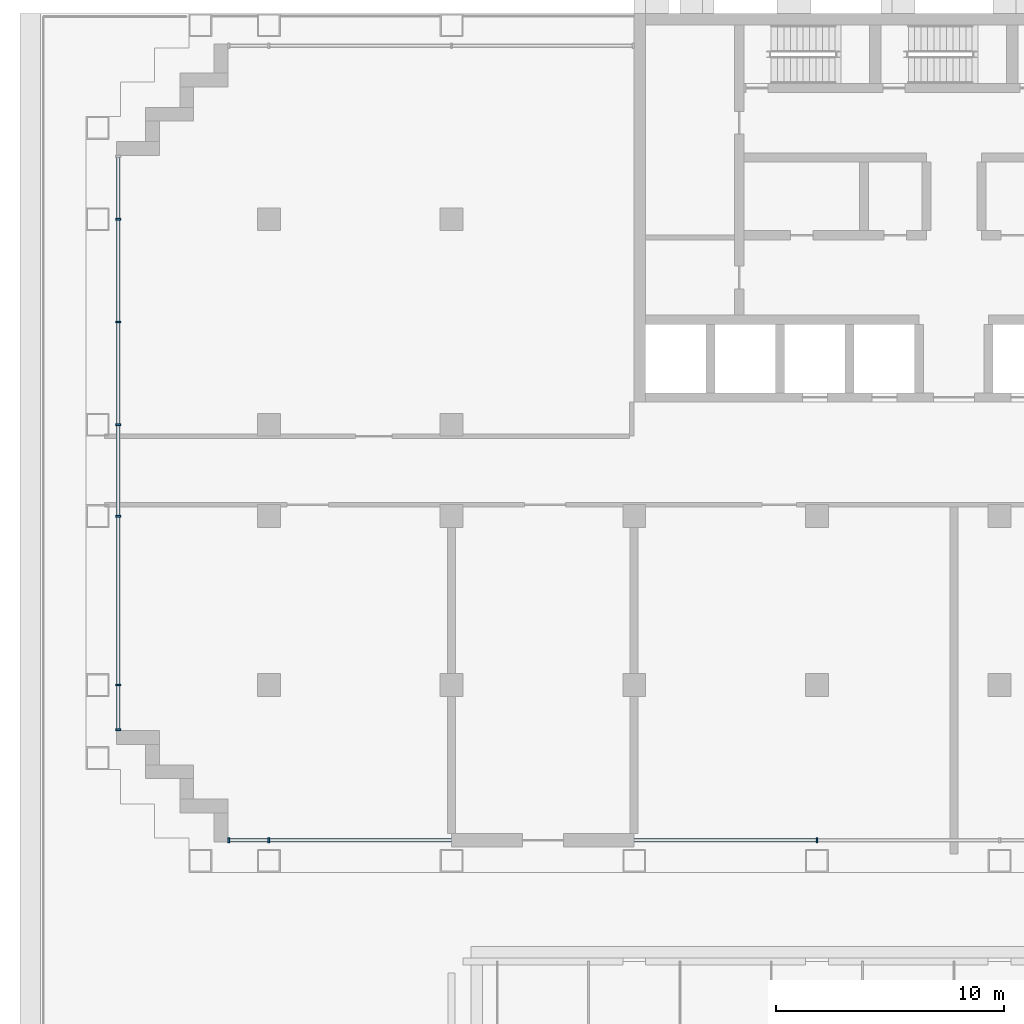
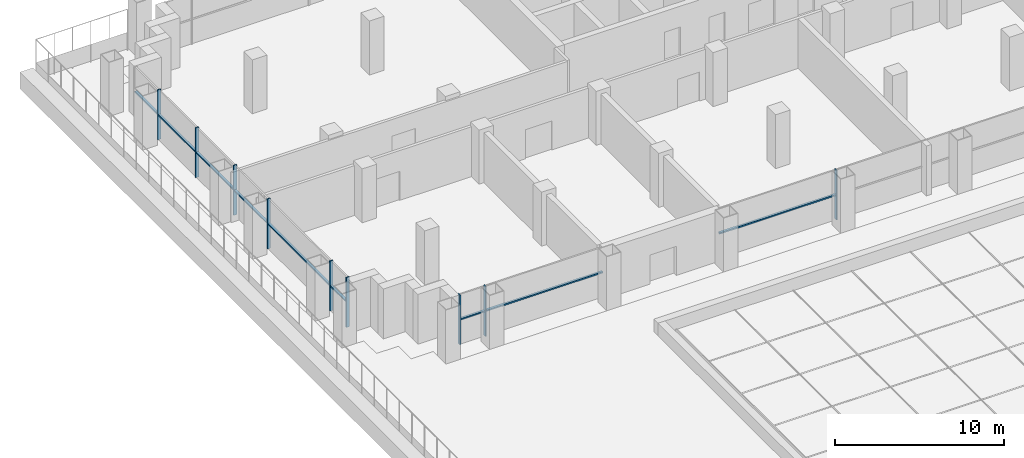
# One storey, part 3 of 16: 18 members, 3 elements without a shape of their own.
"""IFC4 building model written with IfcOpenShell, lengths in metres."""

from ifc_helpers import new_model, si_unit, direction, frame, origin, origin_2d, place, context, subcontext, project, spatial, rectangle, extrude, material, material_profile, profile_set, type_object, element, aggregate, save


model = new_model("IFC4")

# Units and contexts
model_context = context("Model", 3, precision=1e-05, world=origin(), true_north=direction((0.0, 1.0)))
body_context = subcontext(model_context, "Body", "Model", "MODEL_VIEW")
ifc_project = project(units=[si_unit("LENGTHUNIT", "METRE"), si_unit("AREAUNIT", "SQUARE_METRE"), si_unit("VOLUMEUNIT", "CUBIC_METRE"), si_unit("PLANEANGLEUNIT", "RADIAN"), si_unit("MASSUNIT", "GRAM", prefix="KILO")], contexts=[model_context])

# Site, building, storey
site_placement = place(None, origin())
site = spatial("IfcSite", under=ifc_project, at=site_placement, CompositionType="ELEMENT")
building_placement = place(site_placement, origin())
building = spatial("IfcBuilding", under=site, at=building_placement, Name="Vidyagriha Tower", CompositionType="ELEMENT")
storey_placement = place(building_placement, frame((0.0, 0.0, 26.0)))
storey = spatial("IfcBuildingStorey", under=building, at=storey_placement, Name="L06", CompositionType="ELEMENT", Elevation=26.0)

# Curtain wall, members
ifc_material_1 = material(Name="Aluminium and glass curtain wall", Category="aluminium")
curtain_wall_type = type_object("IfcCurtainWallType", Name="Plant louvre wall", PredefinedType="USERDEFINED", material=ifc_material_1)
curtain_wall_1_placement = place(storey_placement, origin())
curtain_wall_1 = element("IfcCurtainWall", 1, at=curtain_wall_1_placement, inside=storey, type_object=curtain_wall_type, Name="CW7 plant louvre wall", ObjectType="STICK GLAZING", PredefinedType="USERDEFINED")
ifc_material_2 = material(Name="Aluminium black anodised", Category="aluminium")
ifc_material_profile_1 = material_profile(ifc_material_2, rectangle(XDim=0.219970703125, YDim=0.080078125, at=origin_2d()), Name="Mullion 80x220 black aluminium")
ifc_profile_set_1 = profile_set([ifc_material_profile_1], Name="Aluminium black anodised")
member_type_1 = type_object("IfcMemberType", Name="Mullion 80x220 black aluminium", PredefinedType="MULLION", material=ifc_profile_set_1)
member_1_placement = place(storey_placement, frame((-36.60009765625, 11.0, 0.0)))
member_1 = element("IfcMember", 2, at=member_1_placement, type_object=member_type_1, Name="CW7 mullion 2", PredefinedType="MULLION", context=body_context, shape_type="SweptSolid", body=[
    extrude(rectangle(XDim=0.219970703125, YDim=0.080078125, at=origin_2d()), origin(), (0.0, 0.0, 1.0), 3.60009765625),
])
member_2_placement = place(storey_placement, frame((-36.60009765625, 6.5, 0.0)))
member_2 = element("IfcMember", 3, at=member_2_placement, type_object=member_type_1, Name="CW7 mullion 3", PredefinedType="MULLION", context=body_context, shape_type="SweptSolid", body=[
    extrude(rectangle(XDim=0.219970703125, YDim=0.080078125, at=origin_2d()), origin(), (0.0, 0.0, 1.0), 3.60009765625),
])
member_3_placement = place(storey_placement, frame((-36.60009765625, 2.0, 0.0)))
member_3 = element("IfcMember", 4, at=member_3_placement, type_object=member_type_1, Name="CW7 mullion 4", PredefinedType="MULLION", context=body_context, shape_type="SweptSolid", body=[
    extrude(rectangle(XDim=0.219970703125, YDim=0.080078125, at=origin_2d()), origin(), (0.0, 0.0, 1.0), 3.60009765625),
])
member_4_placement = place(storey_placement, frame((-36.60009765625, -2.0, 0.0)))
member_4 = element("IfcMember", 5, at=member_4_placement, type_object=member_type_1, Name="CW7 mullion 5", PredefinedType="MULLION", context=body_context, shape_type="SweptSolid", body=[
    extrude(rectangle(XDim=0.219970703125, YDim=0.080078125, at=origin_2d()), origin(), (0.0, 0.0, 1.0), 3.60009765625),
])
member_5_placement = place(storey_placement, frame((-36.60009765625, -9.39990234375, 0.0)))
member_5 = element("IfcMember", 6, at=member_5_placement, type_object=member_type_1, Name="CW7 mullion 6", PredefinedType="MULLION", context=body_context, shape_type="SweptSolid", body=[
    extrude(rectangle(XDim=0.219970703125, YDim=0.080078125, at=origin_2d()), origin(), (0.0, 0.0, 1.0), 3.60009765625),
])
member_6_placement = place(storey_placement, frame((-36.60009765625, -11.360107421875, 0.0)))
member_6 = element("IfcMember", 7, at=member_6_placement, type_object=member_type_1, Name="CW7 mullion 7", PredefinedType="MULLION", context=body_context, shape_type="SweptSolid", body=[
    extrude(rectangle(XDim=0.219970703125, YDim=0.080078125, at=origin_2d()), origin(), (0.0, 0.0, 1.0), 3.60009765625),
])

curtain_wall_2_placement = place(storey_placement, origin())
curtain_wall_2 = element("IfcCurtainWall", 8, at=curtain_wall_2_placement, inside=storey, type_object=curtain_wall_type, Name="CW7 plant louvre wall", ObjectType="STICK GLAZING", PredefinedType="USERDEFINED")
member_7_placement = place(storey_placement, frame((-31.760009765625, -16.199951171875, 0.0), z_axis=(0.0, 0.0, 1.0), x_axis=(0.0, 1.0, 0.0)))
member_7 = element("IfcMember", 9, at=member_7_placement, type_object=member_type_1, Name="CW7 mullion 1", PredefinedType="MULLION", context=body_context, shape_type="SweptSolid", body=[
    extrude(rectangle(XDim=0.219970703125, YDim=0.080078125, at=origin_2d()), origin(), (0.0, 0.0, 1.0), 3.60009765625),
])
member_8_placement = place(storey_placement, frame((-30.0, -16.199951171875, 0.0), z_axis=(0.0, 0.0, 1.0), x_axis=(0.0, 1.0, 0.0)))
member_8 = element("IfcMember", 10, at=member_8_placement, type_object=member_type_1, Name="CW7 mullion 2", PredefinedType="MULLION", context=body_context, shape_type="SweptSolid", body=[
    extrude(rectangle(XDim=0.219970703125, YDim=0.080078125, at=origin_2d()), origin(), (0.0, 0.0, 1.0), 3.60009765625),
])

# Curtain wall, member
curtain_wall_3_placement = place(storey_placement, origin())
curtain_wall_3 = element("IfcCurtainWall", 11, at=curtain_wall_3_placement, inside=storey, type_object=curtain_wall_type, Name="CW7 plant louvre wall", ObjectType="STICK GLAZING", PredefinedType="USERDEFINED")
member_9_placement = place(storey_placement, frame((-6.0, -16.199951171875, 0.0), z_axis=(0.0, 0.0, 1.0), x_axis=(0.0, 1.0, 0.0)))
member_9 = element("IfcMember", 12, at=member_9_placement, type_object=member_type_1, Name="CW7 mullion 2", PredefinedType="MULLION", context=body_context, shape_type="SweptSolid", body=[
    extrude(rectangle(XDim=0.219970703125, YDim=0.080078125, at=origin_2d()), origin(), (0.0, 0.0, 1.0), 3.60009765625),
])

# Member
ifc_material_3 = material(Name="Aluminium black anodised", Category="aluminium")
ifc_material_profile_2 = material_profile(ifc_material_3, rectangle(XDim=0.159912109375, YDim=0.10009765625, at=origin_2d()), Name="Transom 100x160 black aluminium")
ifc_profile_set_2 = profile_set([ifc_material_profile_2], Name="Aluminium black anodised")
member_type_2 = type_object("IfcMemberType", Name="Transom 100x160 black aluminium", PredefinedType="USERDEFINED", material=ifc_profile_set_2)
member_10_placement = place(storey_placement, frame((-36.60009765625, 13.719970703125, 1.800048828125), z_axis=(0.0, -1.0, 0.0), x_axis=(1.0, 0.0, 0.0)))
member_10 = element("IfcMember", 13, at=member_10_placement, type_object=member_type_2, Name="CW7 transom 1.1", ObjectType="TRANSOM", PredefinedType="USERDEFINED", context=body_context, shape_type="SweptSolid", body=[
    extrude(rectangle(XDim=0.159912109375, YDim=0.10009765625, at=origin_2d()), origin(), (0.0, 0.0, 1.0), 2.679931640625),
])

member_11_placement = place(storey_placement, frame((-36.60009765625, 10.9599609375, 1.800048828125), z_axis=(0.0, -1.0, 0.0), x_axis=(1.0, 0.0, 0.0)))
member_11 = element("IfcMember", 14, at=member_11_placement, type_object=member_type_2, Name="CW7 transom 2.1", ObjectType="TRANSOM", PredefinedType="USERDEFINED", context=body_context, shape_type="SweptSolid", body=[
    extrude(rectangle(XDim=0.159912109375, YDim=0.10009765625, at=origin_2d()), origin(), (0.0, 0.0, 1.0), 4.419921875),
])

member_12_placement = place(storey_placement, frame((-36.60009765625, 6.4599609375, 1.800048828125), z_axis=(0.0, -1.0, 0.0), x_axis=(1.0, 0.0, 0.0)))
member_12 = element("IfcMember", 15, at=member_12_placement, type_object=member_type_2, Name="CW7 transom 3.1", ObjectType="TRANSOM", PredefinedType="USERDEFINED", context=body_context, shape_type="SweptSolid", body=[
    extrude(rectangle(XDim=0.159912109375, YDim=0.10009765625, at=origin_2d()), origin(), (0.0, 0.0, 1.0), 4.419921875),
])

member_13_placement = place(storey_placement, frame((-36.60009765625, 1.9599609375, 1.800048828125), z_axis=(0.0, -1.0, 0.0), x_axis=(1.0, 0.0, 0.0)))
member_13 = element("IfcMember", 16, at=member_13_placement, type_object=member_type_2, Name="CW7 transom 4.1", ObjectType="TRANSOM", PredefinedType="USERDEFINED", context=body_context, shape_type="SweptSolid", body=[
    extrude(rectangle(XDim=0.159912109375, YDim=0.10009765625, at=origin_2d()), origin(), (0.0, 0.0, 1.0), 3.919921875),
])

member_14_placement = place(storey_placement, frame((-36.60009765625, -2.0400390625, 1.800048828125), z_axis=(0.0, -1.0, 0.0), x_axis=(1.0, 0.0, 0.0)))
member_14 = element("IfcMember", 17, at=member_14_placement, type_object=member_type_2, Name="CW7 transom 5.1", ObjectType="TRANSOM", PredefinedType="USERDEFINED", context=body_context, shape_type="SweptSolid", body=[
    extrude(rectangle(XDim=0.159912109375, YDim=0.10009765625, at=origin_2d()), origin(), (0.0, 0.0, 1.0), 7.320068359375),
])

member_15_placement = place(storey_placement, frame((-36.60009765625, -9.43994140625, 1.800048828125), z_axis=(0.0, -1.0, 0.0), x_axis=(1.0, 0.0, 0.0)))
member_15 = element("IfcMember", 18, at=member_15_placement, type_object=member_type_2, Name="CW7 transom 6.1", ObjectType="TRANSOM", PredefinedType="USERDEFINED", context=body_context, shape_type="SweptSolid", body=[
    extrude(rectangle(XDim=0.159912109375, YDim=0.10009765625, at=origin_2d()), origin(), (0.0, 0.0, 1.0), 1.880126953125),
])

aggregate(curtain_wall_1, [member_1, member_2, member_3, member_4, member_5, member_6, member_10, member_11, member_12, member_13, member_14, member_15])

member_16_placement = place(storey_placement, frame((-31.719970703125, -16.199951171875, 1.800048828125), z_axis=(1.0, 0.0, 0.0), x_axis=(0.0, 1.0, 0.0)))
member_16 = element("IfcMember", 19, at=member_16_placement, type_object=member_type_2, Name="CW7 transom 1.1", ObjectType="TRANSOM", PredefinedType="USERDEFINED", context=body_context, shape_type="SweptSolid", body=[
    extrude(rectangle(XDim=0.159912109375, YDim=0.10009765625, at=origin_2d()), origin(), (0.0, 0.0, 1.0), 1.679931640625),
])

member_17_placement = place(storey_placement, frame((-29.9599609375, -16.199951171875, 1.800048828125), z_axis=(1.0, 0.0, 0.0), x_axis=(0.0, 1.0, 0.0)))
member_17 = element("IfcMember", 20, at=member_17_placement, type_object=member_type_2, Name="CW7 transom 2.1", ObjectType="TRANSOM", PredefinedType="USERDEFINED", context=body_context, shape_type="SweptSolid", body=[
    extrude(rectangle(XDim=0.159912109375, YDim=0.10009765625, at=origin_2d()), origin(), (0.0, 0.0, 1.0), 7.9599609375),
])

aggregate(curtain_wall_2, [member_7, member_8, member_16, member_17])

member_18_placement = place(storey_placement, frame((-14.0, -16.199951171875, 1.800048828125), z_axis=(1.0, 0.0, 0.0), x_axis=(0.0, 1.0, 0.0)))
member_18 = element("IfcMember", 21, at=member_18_placement, type_object=member_type_2, Name="CW7 transom 1.1", ObjectType="TRANSOM", PredefinedType="USERDEFINED", context=body_context, shape_type="SweptSolid", body=[
    extrude(rectangle(XDim=0.159912109375, YDim=0.10009765625, at=origin_2d()), origin(), (0.0, 0.0, 1.0), 7.9599609375),
])

aggregate(curtain_wall_3, [member_9, member_18])

save(model, "model.ifc")
